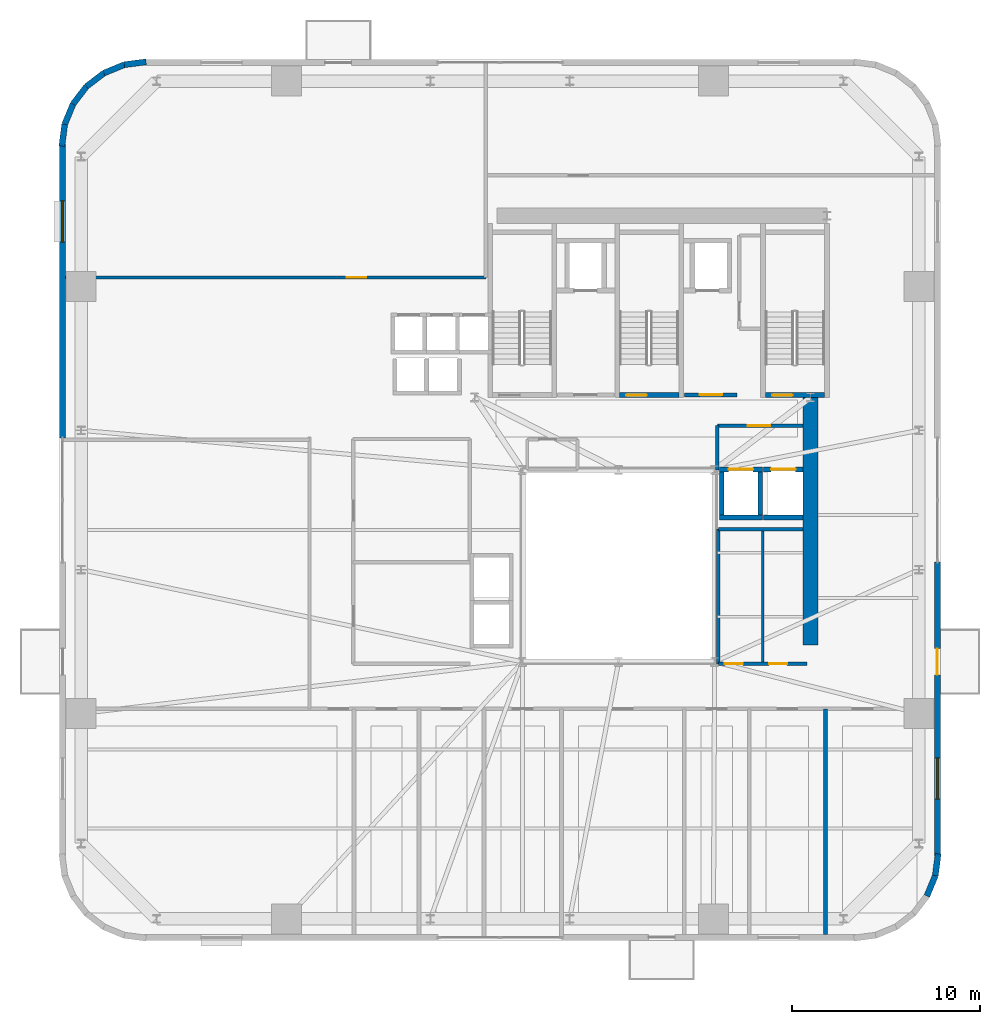
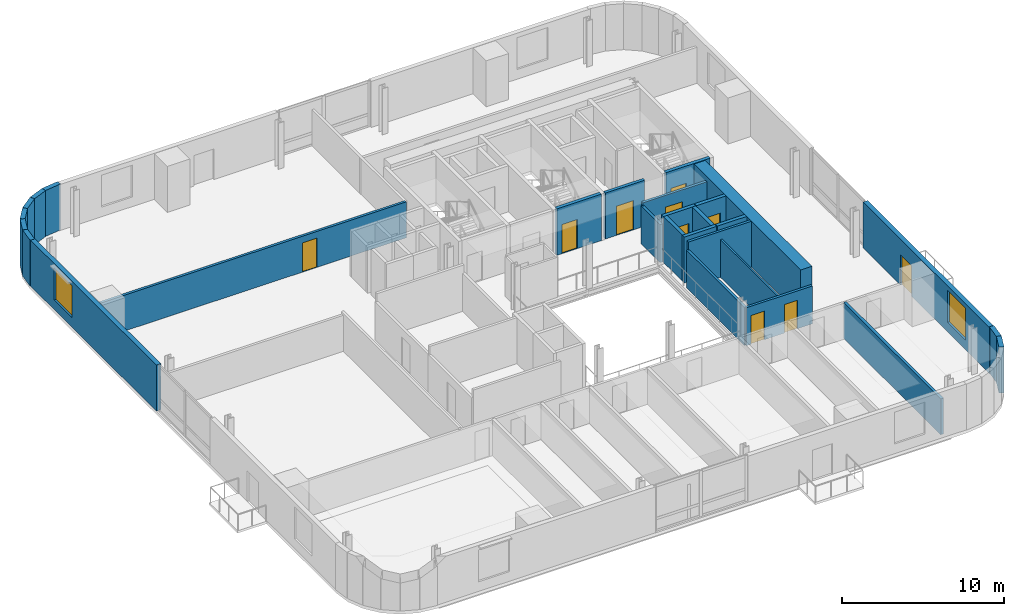
# One storey, part 7 of 14: 28 walls, 10 doors, 2 windows, 12 openings.
"""IFC4 building model written with IfcOpenShell, lengths in metres."""

import ifcopenshell
import ifcopenshell.guid

model = None  # the IFC model being written
_history = None  # IfcOwnerHistory: only IFC2X3 demands one
_inside = {}  # id of a spatial element -> (the spatial element, [elements in it])
_under = {}  # id of a project, library or spatial element -> (it, [spatial elements below it])
_declared = {}  # id of a project -> (the project, [libraries it declares])
_typed = {}  # id of a type object -> (the type object, [elements of that type])
_made_of = {}  # id of a material, layer set ... -> (it, [elements and type objects made of it])


def new_model(schema):
    """Start an empty IFC model of exactly this schema.

    Asked for "IFC4X3", IfcOpenShell would pick the latest addendum, in which some entities
    have other attributes; the version numbers below select the first issue.
    IFC2X3 requires an IfcOwnerHistory on every rooted entity: one is made here for all.
    """
    global model, _history
    if schema == "IFC4X3":
        model = ifcopenshell.file(schema_version=(4, 3, 0, 0))
    else:
        model = ifcopenshell.file(schema=schema)
    _inside.clear()
    _under.clear()
    _declared.clear()
    _typed.clear()
    _made_of.clear()
    _history = None
    if model.schema == "IFC2X3":
        org = make("IfcOrganization", Name="unknown")
        user = make(
            "IfcPersonAndOrganization",
            ThePerson=make("IfcPerson", FamilyName="unknown"),
            TheOrganization=org,
        )
        app = make(
            "IfcApplication",
            ApplicationDeveloper=org,
            Version="unknown",
            ApplicationFullName="unknown",
            ApplicationIdentifier="unknown",
        )
        _history = make(
            "IfcOwnerHistory",
            OwningUser=user,
            OwningApplication=app,
            ChangeAction="ADDED",
            CreationDate=0,
        )
    return model


def make(cls, **values):
    """One entity of the class cls with the attributes given. An attribute that is None is left unset."""
    return model.create_entity(
        cls, **{name: value for name, value in values.items() if value is not None}
    )


def rooted(cls, **values):
    """An entity with a GlobalId (a new one), such as an element, a storey or a relation."""
    return make(cls, GlobalId=ifcopenshell.guid.new(), OwnerHistory=_history, **values)


def si_unit(unit_type, name, prefix=None):
    """IfcSIUnit, for example si_unit("LENGTHUNIT", "METRE", prefix="MILLI")."""
    return make("IfcSIUnit", UnitType=unit_type, Prefix=prefix, Name=name)


def assignment(units):
    """IfcUnitAssignment: the units of a project."""
    return None if units is None else make("IfcUnitAssignment", Units=units)


def point(xyz):
    """IfcCartesianPoint."""
    return None if xyz is None else make("IfcCartesianPoint", Coordinates=xyz)


def direction(xyz):
    """IfcDirection."""
    return None if xyz is None else make("IfcDirection", DirectionRatios=xyz)


def frame(location, z_axis=None, x_axis=None):
    """IfcAxis2Placement3D, a coordinate frame: its origin and axes. An axis left out is left unset."""
    return make(
        "IfcAxis2Placement3D",
        Location=point(location),
        Axis=direction(z_axis),
        RefDirection=direction(x_axis),
    )


def frame_2d(location, x_axis=None):
    """IfcAxis2Placement2D, a coordinate frame in the plane: its origin and x axis."""
    return make(
        "IfcAxis2Placement2D", Location=point(location), RefDirection=direction(x_axis)
    )


def origin():
    """The frame at (0, 0, 0) with its axes left unset."""
    return frame((0.0, 0.0, 0.0))


def place(relative_to, where):
    """IfcLocalPlacement: puts the frame where relative to a parent placement (None: the world)."""
    return make(
        "IfcLocalPlacement", PlacementRelTo=relative_to, RelativePlacement=where
    )


def context(
    kind, dimensions, precision=None, world=None, true_north=None, identifier=None
):
    """IfcGeometricRepresentationContext, for example the 3D "Model" context."""
    return make(
        "IfcGeometricRepresentationContext",
        ContextIdentifier=identifier,
        ContextType=kind,
        CoordinateSpaceDimension=dimensions,
        Precision=precision,
        WorldCoordinateSystem=world,
        TrueNorth=true_north,
    )


def subcontext(parent, identifier, kind, view, scale=None):
    """IfcGeometricRepresentationSubContext, for example "Body" below "Model"."""
    return make(
        "IfcGeometricRepresentationSubContext",
        ContextIdentifier=identifier,
        ContextType=kind,
        ParentContext=parent,
        TargetScale=scale,
        TargetView=view,
    )


def project(units=None, contexts=None):
    """IfcProject with its units and contexts."""
    return rooted(
        "IfcProject",
        Name="project",
        RepresentationContexts=contexts,
        UnitsInContext=assignment(units),
    )


def spatial(cls, under=None, at=None, **own):
    """A site, building, storey or space (cls), placed at a placement, below another one or the project."""
    s = rooted(cls, ObjectPlacement=at, **own)
    if under is not None:
        _under.setdefault(under.id(), (under, []))[1].append(s)
    return s


def profile(cls, at=None, kind="AREA", **sizes):
    """A parametric profile (cls). Its sizes go by their IFC names, for example OverallWidth=200.0."""
    return make(cls, ProfileType=kind, Position=at, **sizes)


def rectangle(**sizes):
    """IfcRectangleProfileDef."""
    return profile("IfcRectangleProfileDef", **sizes)


def extrude(swept, where, along, depth):
    """IfcExtrudedAreaSolid: the profile swept, set in the frame where, extruded along a direction by depth."""
    return make(
        "IfcExtrudedAreaSolid",
        SweptArea=swept,
        Position=where,
        ExtrudedDirection=direction(along),
        Depth=depth,
    )


def shape(context_of_items, identifier, shape_type, items):
    """IfcShapeRepresentation: the items that make up one representation, for example the "Body"."""
    return make(
        "IfcShapeRepresentation",
        ContextOfItems=context_of_items,
        RepresentationIdentifier=identifier,
        RepresentationType=shape_type,
        Items=items,
    )


def source(mapping_origin, context_of_items, identifier, shape_type, items):
    """IfcRepresentationMap: a shape defined once, which mapped items show again and again."""
    return make(
        "IfcRepresentationMap",
        MappingOrigin=mapping_origin,
        MappedRepresentation=shape(context_of_items, identifier, shape_type, items),
    )


def transform(
    local_origin,
    x_axis=None,
    y_axis=None,
    z_axis=None,
    scale=None,
    scale2=None,
    scale3=None,
    uniform=True,
):
    """IfcCartesianTransformationOperator3D, or its non-uniform kind. x_axis, y_axis, z_axis: its Axis1, 2, 3."""
    if uniform:
        return make(
            "IfcCartesianTransformationOperator3D",
            Axis1=direction(x_axis),
            Axis2=direction(y_axis),
            LocalOrigin=point(local_origin),
            Scale=scale,
            Axis3=direction(z_axis),
        )
    return make(
        "IfcCartesianTransformationOperator3DnonUniform",
        Axis1=direction(x_axis),
        Axis2=direction(y_axis),
        LocalOrigin=point(local_origin),
        Scale=scale,
        Axis3=direction(z_axis),
        Scale2=scale2,
        Scale3=scale3,
    )


def mapped(mapping_source, mapping_target):
    """IfcMappedItem: shows the shape of a source again, moved by a transform."""
    return make(
        "IfcMappedItem", MappingSource=mapping_source, MappingTarget=mapping_target
    )


def material(Name=None, Category=None):
    """IfcMaterial."""
    return make("IfcMaterial", Name=Name, Category=Category)


def layer(
    of_material, thickness, ventilated=None, Name=None, Category=None, Priority=None
):
    """IfcMaterialLayer: one layer of a wall or slab, of a material (None: an air gap)."""
    return make(
        "IfcMaterialLayer",
        Material=of_material,
        LayerThickness=thickness,
        IsVentilated=ventilated,
        Name=Name,
        Category=Category,
        Priority=Priority,
    )


def layer_set(layers, Name=None):
    """IfcMaterialLayerSet."""
    return make("IfcMaterialLayerSet", MaterialLayers=layers, LayerSetName=Name)


def made_of(thing, what):
    """Note that an element or type object is made of a material, layer set ...; save() writes the relation."""
    if what is not None:
        _made_of.setdefault(what.id(), (what, []))[1].append(thing)
    return thing


def type_object(cls, material=None, **own):
    """A type object (cls), such as IfcWallType, which elements share."""
    return made_of(rooted(cls, **own), material)


def element(
    cls,
    number,
    at=None,
    inside=None,
    cuts=None,
    type_object=None,
    material=None,
    context=None,
    identifier="Body",
    shape_type=None,
    held_by="IfcProductDefinitionShape",
    body=None,
    shapes=None,
    **own,
):
    """One element of the class cls, such as IfcWall. Its Tag is "e" and its number.

    at: its placement. inside: the storey or other place that contains it. cuts: it is an
    opening in that element (IfcRelVoidsElement). A single representation is given by context,
    identifier, shape_type and body (its items); several are given by shapes. held_by: the class
    of the entity that holds the representations. save() writes the other relations.
    """
    e = rooted(cls, Tag="e%d" % number, ObjectPlacement=at, **own)
    if body is not None:
        shapes = [shape(context, identifier, shape_type, body)]
    if shapes is not None:
        e.Representation = make(held_by, Representations=shapes)
    if inside is not None:
        _inside.setdefault(inside.id(), (inside, []))[1].append(e)
    if cuts is not None:
        rooted(
            "IfcRelVoidsElement", RelatingBuildingElement=cuts, RelatedOpeningElement=e
        )
    if type_object is not None:
        _typed.setdefault(type_object.id(), (type_object, []))[1].append(e)
    return made_of(e, material)


def fill(opening, filler):
    """IfcRelFillsElement: the door or window that sits in an opening."""
    return rooted(
        "IfcRelFillsElement",
        RelatingOpeningElement=opening,
        RelatedBuildingElement=filler,
    )


def aggregate(whole, parts):
    """IfcRelAggregates: a whole, such as a stair, and the parts it consists of."""
    return rooted("IfcRelAggregates", RelatingObject=whole, RelatedObjects=parts)


def save(model, path):
    """Write the relations noted so far, then the file.

    IfcRelAggregates (storeys below a building ...), IfcRelContainedInSpatialStructure (elements
    in a storey), IfcRelDefinesByType, IfcRelAssociatesMaterial and IfcRelDeclares: one each for
    every whole, place, type object, material and project.
    """
    for whole, parts in _under.values():
        aggregate(whole, parts)
    for where, things in _inside.values():
        rooted(
            "IfcRelContainedInSpatialStructure",
            RelatedElements=things,
            RelatingStructure=where,
        )
    for kind, things in _typed.values():
        rooted("IfcRelDefinesByType", RelatedObjects=things, RelatingType=kind)
    for what, things in _made_of.values():
        rooted("IfcRelAssociatesMaterial", RelatedObjects=things, RelatingMaterial=what)
    for by, libraries in _declared.values():
        rooted("IfcRelDeclares", RelatingContext=by, RelatedDefinitions=libraries)
    model.write(path)


model = new_model("IFC4")

# Units and contexts
model_context = context("Model", 3, precision=1e-05, world=origin(), true_north=direction((0.0, 1.0)))
body_context = subcontext(model_context, "Body", "Model", "MODEL_VIEW")
ifc_project = project(units=[si_unit("LENGTHUNIT", "METRE"), si_unit("AREAUNIT", "SQUARE_METRE"), si_unit("VOLUMEUNIT", "CUBIC_METRE"), si_unit("PLANEANGLEUNIT", "RADIAN"), si_unit("MASSUNIT", "GRAM", prefix="KILO")], contexts=[model_context])

# Site, building, storey
site_placement = place(None, origin())
site = spatial("IfcSite", under=ifc_project, at=site_placement, CompositionType="ELEMENT")
building_placement = place(site_placement, origin())
building = spatial("IfcBuilding", under=site, at=building_placement, Name="Vardaveli Station Tower", CompositionType="ELEMENT")
storey_placement = place(building_placement, frame((0.0, 0.0, 122.39990234375)))
storey = spatial("IfcBuildingStorey", under=building, at=storey_placement, Name="L31", CompositionType="ELEMENT", Elevation=122.39990234375)

# Wall
ifc_material_1 = material(Name="Concrete C50/60", Category="concrete")
ifc_layer_1 = layer(ifc_material_1, 0.800048828125, Name="Concrete C50/60")
ifc_layer_set_1 = layer_set([ifc_layer_1], Name="Concrete C50/60")
wall_type_1 = type_object("IfcWallType", Name="WAL-CORE-800", PredefinedType="SHEAR", material=ifc_layer_set_1)
shared_shape_1 = source(origin(), body_context, "Body", "SweptSolid", [
    extrude(rectangle(XDim=13.14990234375, YDim=0.800048828125, at=frame_2d((6.574951171875, 0.0))), origin(), (0.0, 0.0, 1.0), 3.460205078125),
])
wall_1_placement = place(storey_placement, frame((46.5, 17.5, 0.0), z_axis=(0.0, 0.0, 1.0), x_axis=(0.0, 1.0, 0.0)))
element("IfcWall", 1, at=wall_1_placement, inside=storey, type_object=wall_type_1, Name="SW-L31-EAST2", PredefinedType="SHEAR", context=body_context, shape_type="MappedRepresentation", body=[
    mapped(shared_shape_1, transform((0.0, 0.0, 0.0), scale=1.0)),
])

# Wall, openings, door, window
ifc_material_2 = material(Name="Precast concrete C45/55", Category="concrete")
ifc_layer_2 = layer(ifc_material_2, 0.320068359375, Name="Precast concrete C45/55")
ifc_layer_set_2 = layer_set([ifc_layer_2], Name="Precast concrete C45/55")
wall_type_2 = type_object("IfcWallType", Name="WAL-EXT-STONE-320", PredefinedType="SOLIDWALL", material=ifc_layer_set_2)
shared_shape_2 = source(origin(), body_context, "Body", "SweptSolid", [
    extrude(rectangle(XDim=15.599853515625, YDim=0.320068359375, at=frame_2d((7.7998046875, 0.0))), origin(), (0.0, 0.0, 1.0), 3.460205078125),
])
wall_2_placement = place(storey_placement, frame((53.239990234375, 6.300048828125, 0.0), z_axis=(0.0, 0.0, 1.0), x_axis=(0.0, 1.0, 0.0)))
wall_2 = element("IfcWall", 2, at=wall_2_placement, inside=storey, type_object=wall_type_2, Name="EW-L31-E1", PredefinedType="SOLIDWALL", context=body_context, shape_type="MappedRepresentation", body=[
    mapped(shared_shape_2, transform((0.0, 0.0, 0.0), scale=1.0)),
])
shared_shape_3 = source(origin(), body_context, "Body", "SweptSolid", [
    extrude(rectangle(XDim=1.39990234375, YDim=2.300048828125, at=frame_2d((0.699951171875, 1.14990234375))), frame((0.0, 0.169921875, 0.0), z_axis=(0.0, -1.0, 0.0), x_axis=(1.0, 0.0, 0.0)), (0.0, 0.0, 1.0), 0.340087890625),
])
opening_1_placement = place(wall_2_placement, frame((9.6103515625, 0.0, 0.0)))
opening_1 = element("IfcOpeningElement", 3, at=opening_1_placement, cuts=wall_2, Name="Opening D-09", PredefinedType="OPENING", context=body_context, shape_type="MappedRepresentation", body=[
    mapped(shared_shape_3, transform((0.0, 0.0, 0.0), scale=1.0)),
])
shared_shape_4 = source(origin(), body_context, "Body", "SweptSolid", [
    extrude(rectangle(XDim=2.199951171875, YDim=2.39990234375, at=frame_2d((1.10009765625, 1.199951171875))), frame((0.0, 0.169921875, 0.0), z_axis=(0.0, -1.0, 0.0), x_axis=(1.0, 0.0, 0.0)), (0.0, 0.0, 1.0), 0.340087890625),
])
opening_2_placement = place(wall_2_placement, frame((3.0048828125, 0.0, 0.719970703125)))
opening_2 = element("IfcOpeningElement", 4, at=opening_2_placement, cuts=wall_2, Name="Opening W-03", PredefinedType="OPENING", context=body_context, shape_type="MappedRepresentation", body=[
    mapped(shared_shape_4, transform((0.0, 0.0, 0.0), scale=1.0)),
])
ifc_material_3 = material(Name="Thermally broken aluminium glass", Category="aluminium")
door_type_1 = type_object("IfcDoorType", Name="DR-LOG-1400x2300", OperationType="DOUBLE_DOOR_SLIDING", PredefinedType="DOOR", material=ifc_material_3)
shared_shape_5 = source(origin(), body_context, "Body", "SweptSolid", [
    extrude(rectangle(XDim=1.39990234375, YDim=2.300048828125, at=frame_2d((0.699951171875, 1.14990234375))), frame((0.0, 0.02490234375, 0.0), z_axis=(0.0, -1.0, 0.0), x_axis=(1.0, 0.0, 0.0)), (0.0, 0.0, 1.0), 0.050048828125),
])
door_1_placement = place(opening_1_placement, frame((1.39990234375, 0.0, 0.0), z_axis=(0.0, 0.0, 1.0), x_axis=(-1.0, 0.0, 0.0)))
door_1 = element("IfcDoor", 5, at=door_1_placement, inside=storey, type_object=door_type_1, Name="DLG-L31-E", OperationType="DOUBLE_DOOR_SLIDING", OverallHeight=2.300048828125, OverallWidth=1.39990234375, PredefinedType="DOOR", context=body_context, shape_type="MappedRepresentation", body=[
    mapped(shared_shape_5, transform((0.0, 0.0, 0.0), scale=1.0)),
])
fill(opening_1, door_1)
ifc_material_4 = material(Name="Low-E solar-control glass", Category="glass")
window_type = type_object("IfcWindowType", Name="WIN-LOG-2200x2400", PartitioningType="SINGLE_PANEL", PredefinedType="WINDOW", material=ifc_material_4)
shared_shape_6 = source(origin(), body_context, "Body", "SweptSolid", [
    extrude(rectangle(XDim=2.199951171875, YDim=2.39990234375, at=frame_2d((1.10009765625, 1.199951171875))), frame((0.0, 0.030029296875, 0.0), z_axis=(0.0, -1.0, 0.0), x_axis=(1.0, 0.0, 0.0)), (0.0, 0.0, 1.0), 0.06005859375),
])
window_1_placement = place(opening_2_placement, origin())
window_1 = element("IfcWindow", 6, at=window_1_placement, inside=storey, type_object=window_type, Name="WN-L31-E1", OverallHeight=2.39990234375, OverallWidth=2.199951171875, PartitioningType="SINGLE_PANEL", PredefinedType="WINDOW", context=body_context, shape_type="MappedRepresentation", body=[
    mapped(shared_shape_6, transform((0.0, 0.0, 0.0), scale=1.0)),
])
fill(opening_2, window_1)

# Wall, opening, window
shared_shape_7 = source(origin(), body_context, "Body", "SweptSolid", [
    extrude(rectangle(XDim=15.60009765625, YDim=0.320068359375, at=frame_2d((7.800048828125, 0.0))), origin(), (0.0, 0.0, 1.0), 3.460205078125),
])
wall_3_placement = place(storey_placement, frame((6.760009765625, 44.10009765625, 0.0), z_axis=(0.0, 0.0, 1.0), x_axis=(0.0, -1.0, 0.0)))
wall_3 = element("IfcWall", 7, at=wall_3_placement, inside=storey, type_object=wall_type_2, Name="EW-L31-W1", PredefinedType="SOLIDWALL", context=body_context, shape_type="MappedRepresentation", body=[
    mapped(shared_shape_7, transform((0.0, 0.0, 0.0), scale=1.0)),
])
opening_3_placement = place(wall_3_placement, frame((3.0048828125, 0.0, 0.719970703125)))
opening_3 = element("IfcOpeningElement", 8, at=opening_3_placement, cuts=wall_3, Name="Opening W-03", PredefinedType="OPENING", context=body_context, shape_type="MappedRepresentation", body=[
    mapped(shared_shape_4, transform((0.0, 0.0, 0.0), scale=1.0)),
])
window_2_placement = place(opening_3_placement, origin())
window_2 = element("IfcWindow", 9, at=window_2_placement, inside=storey, type_object=window_type, Name="WN-L31-W1", OverallHeight=2.39990234375, OverallWidth=2.199951171875, PartitioningType="SINGLE_PANEL", PredefinedType="WINDOW", context=body_context, shape_type="MappedRepresentation", body=[
    mapped(shared_shape_6, transform((0.0, 0.0, 0.0), scale=1.0)),
])
fill(opening_3, window_2)

# Walls
shared_shape_8 = source(origin(), body_context, "Body", "SweptSolid", [
    extrude(rectangle(XDim=1.170654296875, YDim=0.320068359375, at=frame_2d((0.58544921875, 0.0))), origin(), (0.0, 0.0, 1.0), 3.460205078125),
])
wall_4_placement = place(storey_placement, frame((53.12548828125, 5.23974609375, 0.0), z_axis=(0.0, 0.0, 1.0), x_axis=(0.128269133229, 0.991739395941, 0.0)))
element("IfcWall", 10, at=wall_4_placement, inside=storey, type_object=wall_type_2, Name="EW-L31-CR2-6", PredefinedType="SOLIDWALL", context=body_context, shape_type="MappedRepresentation", body=[
    mapped(shared_shape_8, transform((0.0, 0.0, 0.0), scale=1.0)),
])
shared_shape_9 = source(origin(), body_context, "Body", "SweptSolid", [
    extrude(rectangle(XDim=1.1689453125, YDim=0.320068359375, at=frame_2d((0.58447265625, 0.0))), origin(), (0.0, 0.0, 1.0), 3.460205078125),
])
for number, where, z_axis, x_axis, name in (
    (11, (52.679931640625, 4.158935546875, 0.0), (0.0, 0.0, 1.0), (0.381127904695, 0.924522320046, 0.0), "EW-L31-CR2-5"),
    (12, (8.03125, 47.1689453125, 0.0), (0.0, 0.0, 1.0), (-0.608387696831, -0.793639975269, 0.0), "EW-L31-CR4-4"),
):
    element("IfcWall", number, at=place(storey_placement, frame(where, z_axis=z_axis, x_axis=x_axis)), inside=storey, type_object=wall_type_2, Name=name, PredefinedType="SOLIDWALL", context=body_context, shape_type="MappedRepresentation", body=[
        mapped(shared_shape_9, transform((0.0, 0.0, 0.0), scale=1.0)),
    ])
shared_shape_10 = source(origin(), body_context, "Body", "SweptSolid", [
    extrude(rectangle(XDim=1.168701171875, YDim=0.320068359375, at=frame_2d((0.58447265625, 0.0))), origin(), (0.0, 0.0, 1.0), 3.460205078125),
])
wall_5_placement = place(storey_placement, frame((8.958740234375, 47.8798828125, 0.0), z_axis=(0.0, 0.0, 1.0), x_axis=(-0.793663520347, -0.608356981114, 0.0)))
element("IfcWall", 13, at=wall_5_placement, inside=storey, type_object=wall_type_2, Name="EW-L31-CR4-3", PredefinedType="SOLIDWALL", context=body_context, shape_type="MappedRepresentation", body=[
    mapped(shared_shape_10, transform((0.0, 0.0, 0.0), scale=1.0)),
])
shared_shape_11 = source(origin(), body_context, "Body", "SweptSolid", [
    extrude(rectangle(XDim=1.17041015625, YDim=0.320068359375, at=frame_2d((0.585205078125, 0.0))), origin(), (0.0, 0.0, 1.0), 3.460205078125),
])
for number, where, z_axis, x_axis, name in (
    (14, (11.200439453125, 48.4755859375, 0.0), (0.0, 0.0, 1.0), (-0.991735963317, -0.128295670475, 0.0), "EW-L31-CR4-1"),
    (15, (6.87451171875, 45.16015625, 0.0), (0.0, 0.0, 1.0), (-0.128295670475, -0.991735963317, 0.0), "EW-L31-CR4-6"),
):
    element("IfcWall", number, at=place(storey_placement, frame(where, z_axis=z_axis, x_axis=x_axis)), inside=storey, type_object=wall_type_2, Name=name, PredefinedType="SOLIDWALL", context=body_context, shape_type="MappedRepresentation", body=[
        mapped(shared_shape_11, transform((0.0, 0.0, 0.0), scale=1.0)),
    ])
shared_shape_12 = source(origin(), body_context, "Body", "SweptSolid", [
    extrude(rectangle(XDim=1.169189453125, YDim=0.320068359375, at=frame_2d((0.58447265625, 0.0))), origin(), (0.0, 0.0, 1.0), 3.460205078125),
])
for number, where, z_axis, x_axis, name in (
    (16, (10.039794921875, 48.325439453125, 0.0), (0.0, 0.0, 1.0), (-0.924552646638, -0.381054331552, 0.0), "EW-L31-CR4-2"),
    (17, (7.320068359375, 46.2412109375, 0.0), (0.0, 0.0, 1.0), (-0.381054331552, -0.924552646638, 0.0), "EW-L31-CR4-5"),
):
    element("IfcWall", number, at=place(storey_placement, frame(where, z_axis=z_axis, x_axis=x_axis)), inside=storey, type_object=wall_type_2, Name=name, PredefinedType="SOLIDWALL", context=body_context, shape_type="MappedRepresentation", body=[
        mapped(shared_shape_12, transform((0.0, 0.0, 0.0), scale=1.0)),
    ])

# Wall, opening, door
ifc_material_5 = material(Name="Concrete C40/50", Category="concrete")
ifc_layer_3 = layer(ifc_material_5, 0.25, Name="Concrete C40/50")
ifc_layer_set_3 = layer_set([ifc_layer_3], Name="Concrete C40/50")
wall_type_3 = type_object("IfcWallType", Name="WAL-SHAFT-250", PredefinedType="SOLIDWALL", material=ifc_layer_set_3)
shared_shape_13 = source(origin(), body_context, "Body", "SweptSolid", [
    extrude(rectangle(XDim=3.14990234375, YDim=0.25, at=frame_2d((1.574951171875, 0.0))), origin(), (0.0, 0.0, 1.0), 3.5),
])
wall_6_placement = place(storey_placement, frame((36.35009765625, 30.77490234375, 0.0), z_axis=(0.0, 0.0, 1.0), x_axis=(1.0, 0.0, 0.0)))
wall_6 = element("IfcWall", 18, at=wall_6_placement, inside=storey, type_object=wall_type_3, Name="W-L31-ST-2S", PredefinedType="SOLIDWALL", context=body_context, shape_type="MappedRepresentation", body=[
    mapped(shared_shape_13, transform((0.0, 0.0, 0.0), scale=1.0)),
])
shared_shape_14 = source(origin(), body_context, "Body", "SweptSolid", [
    extrude(rectangle(XDim=1.10009765625, YDim=2.199951171875, at=frame_2d((0.550048828125, 1.10009765625))), frame((0.0, 0.135009765625, 0.0), z_axis=(0.0, -1.0, 0.0), x_axis=(1.0, 0.0, 0.0)), (0.0, 0.0, 1.0), 0.27001953125),
])
opening_4_placement = place(wall_6_placement, frame((0.35009765625, 0.0, 0.0)))
opening_4 = element("IfcOpeningElement", 19, at=opening_4_placement, cuts=wall_6, Name="Opening D-04", PredefinedType="OPENING", context=body_context, shape_type="MappedRepresentation", body=[
    mapped(shared_shape_14, transform((0.0, 0.0, 0.0), scale=1.0)),
])
ifc_material_6 = material(Name="Steel smokeproof fire doorset", Category="steel")
door_type_2 = type_object("IfcDoorType", Name="DR-ST-1100x2200", OperationType="NOTDEFINED", PredefinedType="DOOR", material=ifc_material_6)
shared_shape_15 = source(origin(), body_context, "Body", "SweptSolid", [
    extrude(rectangle(XDim=1.10009765625, YDim=2.199951171875, at=frame_2d((0.550048828125, 1.10009765625))), frame((0.0, 0.02490234375, 0.0), z_axis=(0.0, -1.0, 0.0), x_axis=(1.0, 0.0, 0.0)), (0.0, 0.0, 1.0), 0.050048828125),
])
door_2_placement = place(opening_4_placement, origin())
door_2 = element("IfcDoor", 20, at=door_2_placement, inside=storey, type_object=door_type_2, Name="DST-2-L31", OperationType="SINGLE_SWING_LEFT", OverallHeight=2.199951171875, OverallWidth=1.10009765625, PredefinedType="DOOR", context=body_context, shape_type="MappedRepresentation", body=[
    mapped(shared_shape_15, transform((0.0, 0.0, 0.0), scale=1.0)),
])
fill(opening_4, door_2)

wall_7_placement = place(storey_placement, frame((44.10009765625, 30.77490234375, 0.0), z_axis=(0.0, 0.0, 1.0), x_axis=(1.0, 0.0, 0.0)))
wall_7 = element("IfcWall", 21, at=wall_7_placement, inside=storey, type_object=wall_type_3, Name="W-L31-ST-3S", PredefinedType="SOLIDWALL", context=body_context, shape_type="MappedRepresentation", body=[
    mapped(shared_shape_13, transform((0.0, 0.0, 0.0), scale=1.0)),
])
opening_5_placement = place(wall_7_placement, frame((0.35009765625, 0.0, 0.0)))
opening_5 = element("IfcOpeningElement", 22, at=opening_5_placement, cuts=wall_7, Name="Opening D-04", PredefinedType="OPENING", context=body_context, shape_type="MappedRepresentation", body=[
    mapped(shared_shape_14, transform((0.0, 0.0, 0.0), scale=1.0)),
])
door_3_placement = place(opening_5_placement, origin())
door_3 = element("IfcDoor", 23, at=door_3_placement, inside=storey, type_object=door_type_2, Name="DST-3-L31", OperationType="SINGLE_SWING_LEFT", OverallHeight=2.199951171875, OverallWidth=1.10009765625, PredefinedType="DOOR", context=body_context, shape_type="MappedRepresentation", body=[
    mapped(shared_shape_15, transform((0.0, 0.0, 0.0), scale=1.0)),
])
fill(opening_5, door_3)

ifc_layer_4 = layer(ifc_material_5, 0.219970703125, Name="Concrete C40/50")
ifc_layer_set_4 = layer_set([ifc_layer_4], Name="Concrete C40/50")
wall_type_4 = type_object("IfcWallType", Name="WAL-FFLOBBY-220", PredefinedType="SOLIDWALL", material=ifc_layer_set_4)
shared_shape_16 = source(origin(), body_context, "Body", "SweptSolid", [
    extrude(rectangle(XDim=2.800048828125, YDim=0.219970703125, at=frame_2d((1.39990234375, 0.0))), origin(), (0.0, 0.0, 1.0), 3.460205078125),
])
wall_8_placement = place(storey_placement, frame((39.800048828125, 30.780029296875, 0.0), z_axis=(0.0, 0.0, 1.0), x_axis=(1.0, 0.0, 0.0)))
wall_8 = element("IfcWall", 24, at=wall_8_placement, inside=storey, type_object=wall_type_4, Name="W-L31-FFL2S", PredefinedType="SOLIDWALL", context=body_context, shape_type="MappedRepresentation", body=[
    mapped(shared_shape_16, transform((0.0, 0.0, 0.0), scale=1.0)),
])
shared_shape_17 = source(origin(), body_context, "Body", "SweptSolid", [
    extrude(rectangle(XDim=1.199951171875, YDim=2.199951171875, at=frame_2d((0.60009765625, 1.10009765625))), frame((0.0, 0.1201171875, 0.0), z_axis=(0.0, -1.0, 0.0), x_axis=(1.0, 0.0, 0.0)), (0.0, 0.0, 1.0), 0.239990234375),
])
opening_6_placement = place(wall_8_placement, frame((0.800048828125, 0.0, 0.0)))
opening_6 = element("IfcOpeningElement", 25, at=opening_6_placement, cuts=wall_8, Name="Opening D-03", PredefinedType="OPENING", context=body_context, shape_type="MappedRepresentation", body=[
    mapped(shared_shape_17, transform((0.0, 0.0, 0.0), scale=1.0)),
])
door_type_3 = type_object("IfcDoorType", Name="DR-FFL-1200x2200", OperationType="NOTDEFINED", PredefinedType="DOOR", material=ifc_material_6)
shared_shape_18 = source(origin(), body_context, "Body", "SweptSolid", [
    extrude(rectangle(XDim=1.199951171875, YDim=2.199951171875, at=frame_2d((0.60009765625, 1.10009765625))), frame((0.0, 0.02490234375, 0.0), z_axis=(0.0, -1.0, 0.0), x_axis=(1.0, 0.0, 0.0)), (0.0, 0.0, 1.0), 0.050048828125),
])
door_4_placement = place(opening_6_placement, origin())
door_4 = element("IfcDoor", 26, at=door_4_placement, inside=storey, type_object=door_type_3, Name="DFFL2-L31", OperationType="SINGLE_SWING_RIGHT", OverallHeight=2.199951171875, OverallWidth=1.199951171875, PredefinedType="DOOR", context=body_context, shape_type="MappedRepresentation", body=[
    mapped(shared_shape_18, transform((0.0, 0.0, 0.0), scale=1.0)),
])
fill(opening_6, door_4)

# Wall
shared_shape_19 = source(origin(), body_context, "Body", "SweptSolid", [
    extrude(rectangle(XDim=2.300048828125, YDim=0.25, at=frame_2d((1.14990234375, 0.0))), origin(), (0.0, 0.0, 1.0), 3.460205078125),
])
wall_9_placement = place(storey_placement, frame((41.64990234375, 24.27490234375, 0.0), z_axis=(0.0, 0.0, 1.0), x_axis=(1.0, 0.0, 0.0)))
element("IfcWall", 27, at=wall_9_placement, inside=storey, type_object=wall_type_3, Name="SHW-SRV-01-L31-S", PredefinedType="SOLIDWALL", context=body_context, shape_type="MappedRepresentation", body=[
    mapped(shared_shape_19, transform((0.0, 0.0, 0.0), scale=1.0)),
])

# Wall, opening, door
wall_10_placement = place(storey_placement, frame((41.64990234375, 26.824951171875, 0.0), z_axis=(0.0, 0.0, 1.0), x_axis=(1.0, 0.0, 0.0)))
wall_10 = element("IfcWall", 28, at=wall_10_placement, inside=storey, type_object=wall_type_3, Name="SHW-SRV-01-L31-N", PredefinedType="SOLIDWALL", context=body_context, shape_type="MappedRepresentation", body=[
    mapped(shared_shape_19, transform((0.0, 0.0, 0.0), scale=1.0)),
])
shared_shape_20 = source(origin(), body_context, "Body", "SweptSolid", [
    extrude(rectangle(XDim=1.300048828125, YDim=2.300048828125, at=frame_2d((0.64990234375, 1.14990234375))), frame((0.0, 0.135009765625, 0.0), z_axis=(0.0, -1.0, 0.0), x_axis=(1.0, 0.0, 0.0)), (0.0, 0.0, 1.0), 0.27001953125),
])
opening_7_placement = place(wall_10_placement, frame((0.5, 0.0, 0.0)))
opening_7 = element("IfcOpeningElement", 29, at=opening_7_placement, cuts=wall_10, Name="Opening LD-03", PredefinedType="OPENING", context=body_context, shape_type="MappedRepresentation", body=[
    mapped(shared_shape_20, transform((0.0, 0.0, 0.0), scale=1.0)),
])
ifc_material_7 = material(Name="Brushed stainless steel", Category="steel")
door_type_4 = type_object("IfcDoorType", Name="DR-LD-1300x2300", OperationType="DOUBLE_DOOR_SLIDING", PredefinedType="DOOR", material=ifc_material_7)
shared_shape_21 = source(origin(), body_context, "Body", "SweptSolid", [
    extrude(rectangle(XDim=1.300048828125, YDim=2.300048828125, at=frame_2d((0.64990234375, 1.14990234375))), frame((0.0, 0.02490234375, 0.0), z_axis=(0.0, -1.0, 0.0), x_axis=(1.0, 0.0, 0.0)), (0.0, 0.0, 1.0), 0.050048828125),
])
door_5_placement = place(opening_7_placement, origin())
door_5 = element("IfcDoor", 30, at=door_5_placement, inside=storey, type_object=door_type_4, Name="LD-SRV-01-L31", OperationType="DOUBLE_DOOR_SLIDING", OverallHeight=2.300048828125, OverallWidth=1.300048828125, PredefinedType="DOOR", context=body_context, shape_type="MappedRepresentation", body=[
    mapped(shared_shape_21, transform((0.0, 0.0, 0.0), scale=1.0)),
])
fill(opening_7, door_5)

# Walls
for number, where, z_axis, x_axis, name in (
    (31, (41.77490234375, 24.39990234375, 0.0), (0.0, 0.0, 1.0), (0.0, 1.0, 0.0), "SHW-SRV-01-L31-W"),
    (32, (43.824951171875, 24.39990234375, 0.0), (0.0, 0.0, 1.0), (0.0, 1.0, 0.0), "SHW-SRV-01-L31-E"),
):
    element("IfcWall", number, at=place(storey_placement, frame(where, z_axis=z_axis, x_axis=x_axis)), inside=storey, type_object=wall_type_3, Name=name, PredefinedType="SOLIDWALL", context=body_context, shape_type="MappedRepresentation", body=[
        mapped(shared_shape_19, transform((0.0, 0.0, 0.0), scale=1.0)),
    ])
shared_shape_22 = source(origin(), body_context, "Body", "SweptSolid", [
    extrude(rectangle(XDim=2.10009765625, YDim=0.25, at=frame_2d((1.050048828125, 0.0))), origin(), (0.0, 0.0, 1.0), 3.460205078125),
])
wall_11_placement = place(storey_placement, frame((44.0, 24.27490234375, 0.0), z_axis=(0.0, 0.0, 1.0), x_axis=(1.0, 0.0, 0.0)))
element("IfcWall", 33, at=wall_11_placement, inside=storey, type_object=wall_type_3, Name="SHW-SRV-02-L31-S", PredefinedType="SOLIDWALL", context=body_context, shape_type="MappedRepresentation", body=[
    mapped(shared_shape_22, transform((0.0, 0.0, 0.0), scale=1.0)),
])

# Wall, opening, door
wall_12_placement = place(storey_placement, frame((44.0, 26.824951171875, 0.0), z_axis=(0.0, 0.0, 1.0), x_axis=(1.0, 0.0, 0.0)))
wall_12 = element("IfcWall", 34, at=wall_12_placement, inside=storey, type_object=wall_type_3, Name="SHW-SRV-02-L31-N", PredefinedType="SOLIDWALL", context=body_context, shape_type="MappedRepresentation", body=[
    mapped(shared_shape_22, transform((0.0, 0.0, 0.0), scale=1.0)),
])
opening_8_placement = place(wall_12_placement, frame((0.39990234375, 0.0, 0.0)))
opening_8 = element("IfcOpeningElement", 35, at=opening_8_placement, cuts=wall_12, Name="Opening LD-03", PredefinedType="OPENING", context=body_context, shape_type="MappedRepresentation", body=[
    mapped(shared_shape_20, transform((0.0, 0.0, 0.0), scale=1.0)),
])
door_6_placement = place(opening_8_placement, origin())
door_6 = element("IfcDoor", 36, at=door_6_placement, inside=storey, type_object=door_type_4, Name="LD-SRV-02-L31", OperationType="DOUBLE_DOOR_SLIDING", OverallHeight=2.300048828125, OverallWidth=1.300048828125, PredefinedType="DOOR", context=body_context, shape_type="MappedRepresentation", body=[
    mapped(shared_shape_21, transform((0.0, 0.0, 0.0), scale=1.0)),
])
fill(opening_8, door_6)

ifc_material_8 = material(Name="Fire-rated gypsum stud partition")
ifc_layer_5 = layer(ifc_material_8, 0.179931640625, Name="Fire-rated gypsum stud partition")
ifc_layer_set_5 = layer_set([ifc_layer_5], Name="Fire-rated gypsum stud partition")
wall_type_5 = type_object("IfcWallType", Name="WAL-CORR-180", PredefinedType="PARTITIONING", material=ifc_layer_set_5)
shared_shape_23 = source(origin(), body_context, "Body", "SweptSolid", [
    extrude(rectangle(XDim=4.5478515625, YDim=0.179931640625, at=frame_2d((2.27392578125, 0.0))), origin(), (0.0, 0.0, 1.0), 3.092041015625),
])
wall_13_placement = place(storey_placement, frame((41.550048828125, 29.14990234375, 0.0), z_axis=(0.0, 0.0, 1.0), x_axis=(1.0, 0.0, 0.0)))
wall_13 = element("IfcWall", 37, at=wall_13_placement, inside=storey, type_object=wall_type_5, Name="W-L31-SVFN", PredefinedType="PARTITIONING", context=body_context, shape_type="MappedRepresentation", body=[
    mapped(shared_shape_23, transform((0.0, 0.0, 0.0), scale=1.0)),
])
shared_shape_24 = source(origin(), body_context, "Body", "SweptSolid", [
    extrude(rectangle(XDim=1.199951171875, YDim=2.199951171875, at=frame_2d((0.60009765625, 1.10009765625))), frame((0.0, 0.10009765625, 0.0), z_axis=(0.0, -1.0, 0.0), x_axis=(1.0, 0.0, 0.0)), (0.0, 0.0, 1.0), 0.199951171875),
])
opening_9_placement = place(wall_13_placement, frame((1.60009765625, 0.0, 0.0)))
opening_9 = element("IfcOpeningElement", 38, at=opening_9_placement, cuts=wall_13, Name="Opening D-03", PredefinedType="OPENING", context=body_context, shape_type="MappedRepresentation", body=[
    mapped(shared_shape_24, transform((0.0, 0.0, 0.0), scale=1.0)),
])
door_7_placement = place(opening_9_placement, origin())
door_7 = element("IfcDoor", 39, at=door_7_placement, inside=storey, type_object=door_type_3, Name="D-L31-SVF", OperationType="SINGLE_SWING_RIGHT", OverallHeight=2.199951171875, OverallWidth=1.199951171875, PredefinedType="DOOR", context=body_context, shape_type="MappedRepresentation", body=[
    mapped(shared_shape_18, transform((0.0, 0.0, 0.0), scale=1.0)),
])
fill(opening_9, door_7)

# Wall, openings, doors
shared_shape_25 = source(origin(), body_context, "Body", "SweptSolid", [
    extrude(rectangle(XDim=4.699951171875, YDim=0.179931640625, at=frame_2d((2.35009765625, 0.0))), origin(), (0.0, 0.0, 1.0), 2.85205078125),
])
wall_14_placement = place(storey_placement, frame((41.60009765625, 16.5, 0.0), z_axis=(0.0, 0.0, 1.0), x_axis=(1.0, 0.0, 0.0)))
wall_14 = element("IfcWall", 40, at=wall_14_placement, inside=storey, type_object=wall_type_5, Name="W-L31-ATE-S", PredefinedType="PARTITIONING", context=body_context, shape_type="MappedRepresentation", body=[
    mapped(shared_shape_25, transform((0.0, 0.0, 0.0), scale=1.0)),
])
shared_shape_26 = source(origin(), body_context, "Body", "SweptSolid", [
    extrude(rectangle(XDim=0.949951171875, YDim=2.14990234375, at=frame_2d((0.47509765625, 1.074951171875))), frame((0.0, 0.10009765625, 0.0), z_axis=(0.0, -1.0, 0.0), x_axis=(1.0, 0.0, 0.0)), (0.0, 0.0, 1.0), 0.199951171875),
])
opening_10_placement = place(wall_14_placement, frame((0.35009765625, 0.0, 0.0)))
opening_10 = element("IfcOpeningElement", 41, at=opening_10_placement, cuts=wall_14, Name="Opening D-11", PredefinedType="OPENING", context=body_context, shape_type="MappedRepresentation", body=[
    mapped(shared_shape_26, transform((0.0, 0.0, 0.0), scale=1.0)),
])
opening_11_placement = place(wall_14_placement, frame((2.699951171875, 0.0, 0.0)))
opening_11 = element("IfcOpeningElement", 42, at=opening_11_placement, cuts=wall_14, Name="Opening D-11", PredefinedType="OPENING", context=body_context, shape_type="MappedRepresentation", body=[
    mapped(shared_shape_26, transform((0.0, 0.0, 0.0), scale=1.0)),
])
ifc_material_9 = material(Name="Oak veneer internal suite door")
door_type_5 = type_object("IfcDoorType", Name="DR-INT-950x2150", OperationType="NOTDEFINED", PredefinedType="DOOR", material=ifc_material_9)
shared_shape_27 = source(origin(), body_context, "Body", "SweptSolid", [
    extrude(rectangle(XDim=0.949951171875, YDim=2.14990234375, at=frame_2d((0.47509765625, 1.074951171875))), frame((0.0, 0.02490234375, 0.0), z_axis=(0.0, -1.0, 0.0), x_axis=(1.0, 0.0, 0.0)), (0.0, 0.0, 1.0), 0.050048828125),
])
door_8_placement = place(opening_10_placement, origin())
door_8 = element("IfcDoor", 43, at=door_8_placement, inside=storey, type_object=door_type_5, Name="D-L31-ATE1", OperationType="SINGLE_SWING_RIGHT", OverallHeight=2.14990234375, OverallWidth=0.949951171875, PredefinedType="DOOR", context=body_context, shape_type="MappedRepresentation", body=[
    mapped(shared_shape_27, transform((0.0, 0.0, 0.0), scale=1.0)),
])
fill(opening_10, door_8)
door_9_placement = place(opening_11_placement, origin())
door_9 = element("IfcDoor", 44, at=door_9_placement, inside=storey, type_object=door_type_5, Name="D-L31-ATE2", OperationType="SINGLE_SWING_RIGHT", OverallHeight=2.14990234375, OverallWidth=0.949951171875, PredefinedType="DOOR", context=body_context, shape_type="MappedRepresentation", body=[
    mapped(shared_shape_27, transform((0.0, 0.0, 0.0), scale=1.0)),
])
fill(opening_11, door_9)

# Walls
shared_shape_28 = source(origin(), body_context, "Body", "SweptSolid", [
    extrude(rectangle(XDim=7.14990234375, YDim=0.179931640625, at=frame_2d((3.574951171875, 0.0))), origin(), (0.0, 0.0, 1.0), 2.85205078125),
])
wall_15_placement = place(storey_placement, frame((41.60009765625, 16.5, 0.0), z_axis=(0.0, 0.0, 1.0), x_axis=(0.0, 1.0, 0.0)))
element("IfcWall", 45, at=wall_15_placement, inside=storey, type_object=wall_type_5, Name="W-L31-ATE-W", PredefinedType="PARTITIONING", context=body_context, shape_type="MappedRepresentation", body=[
    mapped(shared_shape_28, transform((0.0, 0.0, 0.0), scale=1.0)),
])
ifc_material_10 = material(Name="Gypsum board stud partition")
ifc_layer_6 = layer(ifc_material_10, 0.125, Name="Gypsum board stud partition")
ifc_layer_set_6 = layer_set([ifc_layer_6], Name="Gypsum board stud partition")
wall_type_6 = type_object("IfcWallType", Name="WAL-INT-125", PredefinedType="PARTITIONING", material=ifc_layer_set_6)
shared_shape_29 = source(origin(), body_context, "Body", "SweptSolid", [
    extrude(rectangle(XDim=7.14990234375, YDim=0.125, at=frame_2d((3.574951171875, 0.0))), origin(), (0.0, 0.0, 1.0), 2.85205078125),
])
wall_16_placement = place(storey_placement, frame((43.949951171875, 16.5, 0.0), z_axis=(0.0, 0.0, 1.0), x_axis=(0.0, 1.0, 0.0)))
element("IfcWall", 46, at=wall_16_placement, inside=storey, type_object=wall_type_6, Name="W-L31-ATEM", PredefinedType="PARTITIONING", context=body_context, shape_type="MappedRepresentation", body=[
    mapped(shared_shape_29, transform((0.0, 0.0, 0.0), scale=1.0)),
])
shared_shape_30 = source(origin(), body_context, "Body", "SweptSolid", [
    extrude(rectangle(XDim=2.349853515625, YDim=0.179931640625, at=frame_2d((1.1748046875, 0.0))), origin(), (0.0, 0.0, 1.0), 2.85205078125),
])
wall_17_placement = place(storey_placement, frame((41.550048828125, 26.800048828125, 0.0), z_axis=(0.0, 0.0, 1.0), x_axis=(0.0, 1.0, 0.0)))
element("IfcWall", 47, at=wall_17_placement, inside=storey, type_object=wall_type_5, Name="W-L31-SVFW", PredefinedType="PARTITIONING", context=body_context, shape_type="MappedRepresentation", body=[
    mapped(shared_shape_30, transform((0.0, 0.0, 0.0), scale=1.0)),
])

# Wall, opening, door
shared_shape_31 = source(origin(), body_context, "Body", "SweptSolid", [
    extrude(rectangle(XDim=22.327880859375, YDim=0.179931640625, at=frame_2d((11.1640625, 0.0))), origin(), (0.0, 0.0, 1.0), 2.7021484375),
])
wall_18_placement = place(storey_placement, frame((6.922119140625, 37.02001953125, 0.0), z_axis=(0.0, 0.0, 1.0), x_axis=(1.0, 0.0, 0.0)))
wall_18 = element("IfcWall", 48, at=wall_18_placement, inside=storey, type_object=wall_type_5, Name="W-L31-CNWS", PredefinedType="PARTITIONING", context=body_context, shape_type="MappedRepresentation", body=[
    mapped(shared_shape_31, transform((0.0, 0.0, 0.0), scale=1.0)),
])
shared_shape_32 = source(origin(), body_context, "Body", "SweptSolid", [
    extrude(rectangle(XDim=1.050048828125, YDim=2.199951171875, at=frame_2d((0.52490234375, 1.10009765625))), frame((0.0, 0.10009765625, 0.0), z_axis=(0.0, -1.0, 0.0), x_axis=(1.0, 0.0, 0.0)), (0.0, 0.0, 1.0), 0.199951171875),
])
opening_12_placement = place(wall_18_placement, frame((14.927978515625, 0.0, 0.0)))
opening_12 = element("IfcOpeningElement", 49, at=opening_12_placement, cuts=wall_18, Name="Opening D-05", PredefinedType="OPENING", context=body_context, shape_type="MappedRepresentation", body=[
    mapped(shared_shape_32, transform((0.0, 0.0, 0.0), scale=1.0)),
])
ifc_material_11 = material(Name="Walnut veneer acoustic fire door")
door_type_6 = type_object("IfcDoorType", Name="DR-SUITE-1050x2200", OperationType="NOTDEFINED", PredefinedType="DOOR", material=ifc_material_11)
shared_shape_33 = source(origin(), body_context, "Body", "SweptSolid", [
    extrude(rectangle(XDim=1.050048828125, YDim=2.199951171875, at=frame_2d((0.52490234375, 1.10009765625))), frame((0.0, 0.02490234375, 0.0), z_axis=(0.0, -1.0, 0.0), x_axis=(1.0, 0.0, 0.0)), (0.0, 0.0, 1.0), 0.050048828125),
])
door_10_placement = place(opening_12_placement, origin())
door_10 = element("IfcDoor", 50, at=door_10_placement, inside=storey, type_object=door_type_6, Name="D-L31-GNW1", OperationType="SINGLE_SWING_RIGHT", OverallHeight=2.199951171875, OverallWidth=1.050048828125, PredefinedType="DOOR", context=body_context, shape_type="MappedRepresentation", body=[
    mapped(shared_shape_33, transform((0.0, 0.0, 0.0), scale=1.0)),
])
fill(opening_12, door_10)

# Walls
ifc_material_12 = material(Name="Acoustic twin-stud gypsum partition")
ifc_layer_7 = layer(ifc_material_12, 0.199951171875, Name="Acoustic twin-stud gypsum partition")
ifc_layer_set_7 = layer_set([ifc_layer_7], Name="Acoustic twin-stud gypsum partition")
wall_type_7 = type_object("IfcWallType", Name="WAL-PARTY-200", PredefinedType="PARTITIONING", material=ifc_layer_set_7)
shared_shape_34 = source(origin(), body_context, "Body", "SweptSolid", [
    extrude(rectangle(XDim=11.97802734375, YDim=0.199951171875, at=frame_2d((5.989013671875, 0.0))), origin(), (0.0, 0.0, 1.0), 2.7021484375),
])
wall_19_placement = place(storey_placement, frame((47.2880859375, 2.1220703125, 0.0), z_axis=(0.0, 0.0, 1.0), x_axis=(0.0, 1.0, 0.0)))
element("IfcWall", 51, at=wall_19_placement, inside=storey, type_object=wall_type_7, Name="W-L31-PS7", PredefinedType="PARTITIONING", context=body_context, shape_type="MappedRepresentation", body=[
    mapped(shared_shape_34, transform((0.0, 0.0, 0.0), scale=1.0)),
])
shared_shape_35 = source(origin(), body_context, "Body", "SweptSolid", [
    extrude(rectangle(XDim=4.497802734375, YDim=0.179931640625, at=frame_2d((2.2490234375, 0.0))), origin(), (0.0, 0.0, 1.0), 3.460205078125),
])
wall_20_placement = place(storey_placement, frame((41.60009765625, 23.64990234375, 0.0), z_axis=(0.0, 0.0, 1.0), x_axis=(1.0, 0.0, 0.0)))
element("IfcWall", 52, at=wall_20_placement, inside=storey, type_object=wall_type_5, Name="W-L31-ATE-N", PredefinedType="PARTITIONING", context=body_context, shape_type="MappedRepresentation", body=[
    mapped(shared_shape_35, transform((0.0, 0.0, 0.0), scale=1.0)),
])

save(model, "model.ifc")
